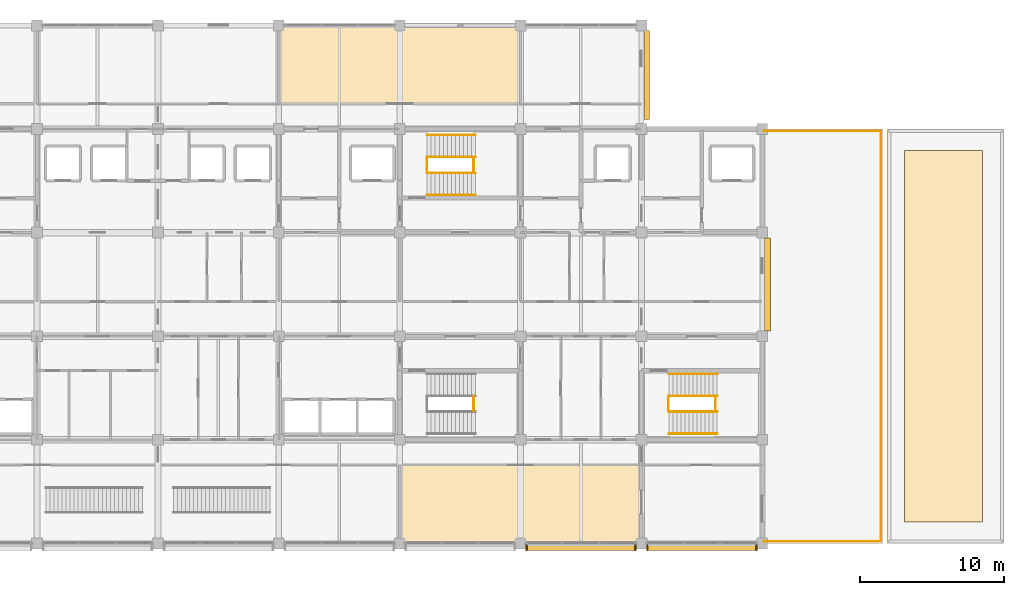
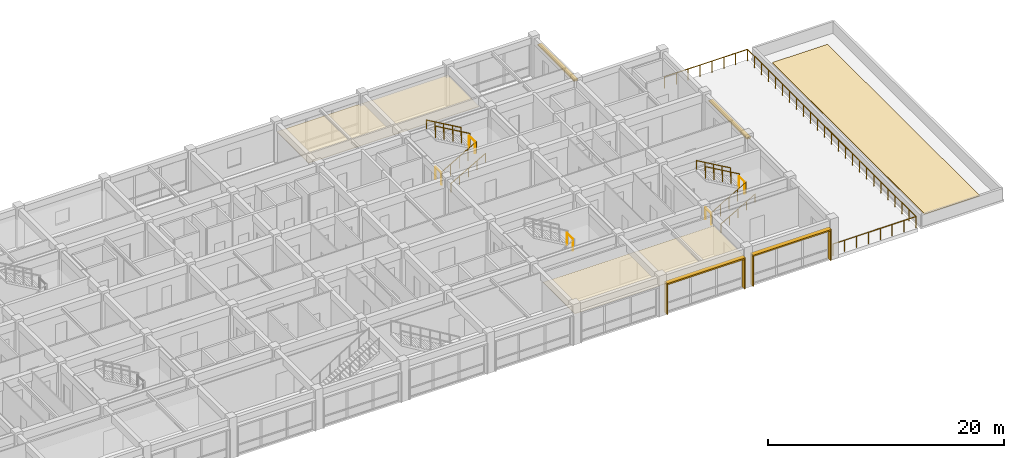
# One storey, part 27 of 27: 16 railings, 8 shading devices, 3 coverings.
"""IFC4 building model written with IfcOpenShell, lengths in metres."""

from ifc_helpers import new_model, si_unit, direction, frame, origin, origin_2d, place, context, subcontext, project, spatial, polyline, rectangle, circle, outline, extrude, material, layer, layer_set, type_object, element, save


model = new_model("IFC4")

# Units and contexts
model_context = context("Model", 3, precision=1e-05, world=origin(), true_north=direction((0.0, 1.0)))
body_context = subcontext(model_context, "Body", "Model", "MODEL_VIEW")
ifc_project = project(units=[si_unit("LENGTHUNIT", "METRE"), si_unit("AREAUNIT", "SQUARE_METRE"), si_unit("VOLUMEUNIT", "CUBIC_METRE"), si_unit("PLANEANGLEUNIT", "RADIAN"), si_unit("MASSUNIT", "GRAM", prefix="KILO")], contexts=[model_context])

# Site, building, storey
site_placement = place(None, origin())
site = spatial("IfcSite", under=ifc_project, at=site_placement, CompositionType="ELEMENT")
building_placement = place(site_placement, origin())
building = spatial("IfcBuilding", under=site, at=building_placement, Name="Chengyuan Square Courthouse", CompositionType="ELEMENT")
storey_placement = place(building_placement, frame((0.0, 0.0, 35.10009765625)))
storey = spatial("IfcBuildingStorey", under=building, at=storey_placement, Name="L08", CompositionType="ELEMENT", Elevation=35.10009765625)

# Coverings
ifc_material_1 = material(Name="Perforated Larch Glulam Acoustic Slat Ceiling", Category="wood")
ifc_layer_1 = layer(ifc_material_1, 0.044921875)
ifc_layer_set_1 = layer_set([ifc_layer_1], Name="Perforated Larch Glulam Acoustic Slat Ceiling")
covering_type_1 = type_object("IfcCoveringType", Name="CLG-01", PredefinedType="CEILING", material=ifc_layer_set_1)
covering_1_placement = place(storey_placement, frame((0.0, 0.0, 2.849853515625)))
element("IfcCovering", 1, at=covering_1_placement, inside=storey, type_object=covering_type_1, Name="Acoustic Timber Slat Ceiling CLG-L08-ACN-11", PredefinedType="CEILING", context=body_context, shape_type="SweptSolid", body=[
    extrude(outline(polyline([(92.449951171875, 109.800048828125), (109.14990234375, 109.800048828125), (109.14990234375, 115.14990234375), (92.449951171875, 115.14990234375), (92.449951171875, 109.800048828125)])), origin(), (0.0, 0.0, 1.0), 0.045166015625),
])
covering_2_placement = place(storey_placement, frame((0.0, 0.0, 2.849853515625)))
element("IfcCovering", 2, at=covering_2_placement, inside=storey, type_object=covering_type_1, Name="Acoustic Timber Slat Ceiling CLG-L08-CRT-A2", PredefinedType="CEILING", context=body_context, shape_type="SweptSolid", body=[
    extrude(outline(polyline([(100.85009765625, 79.25), (117.550048828125, 79.25), (117.550048828125, 84.60009765625), (100.85009765625, 84.60009765625), (100.85009765625, 79.25)])), origin(), (0.0, 0.0, 1.0), 0.045166015625),
])
ifc_material_2 = material(Name="TPO Waterproof Membrane and Extruded Polystyrene Insulation")
ifc_layer_2 = layer(ifc_material_2, 0.06005859375)
ifc_layer_set_2 = layer_set([ifc_layer_2], Name="TPO Waterproof Membrane and Extruded Polystyrene Insulation")
covering_type_2 = type_object("IfcCoveringType", Name="RFG-01", PredefinedType="ROOFING", material=ifc_layer_set_2)
covering_3_placement = place(storey_placement, origin())
element("IfcCovering", 3, at=covering_3_placement, inside=storey, type_object=covering_type_2, Name="Roof Waterproofing Membrane RFG-L08-06", PredefinedType="ROOFING", context=body_context, shape_type="SweptSolid", body=[
    extrude(outline(polyline([(135.89990234375, 80.699951171875), (141.300048828125, 80.699951171875), (141.300048828125, 106.5), (135.89990234375, 106.5), (135.89990234375, 80.699951171875)])), origin(), (0.0, 0.0, 1.0), 0.059814453125),
])

# Railings
ifc_material_3 = material(Name="Stainless Steel S30408 and Laminated Glass Balustrade", Category="steel")
railing_type_1 = type_object("IfcRailingType", Name="RL-01", PredefinedType="BALUSTRADE", material=ifc_material_3)
railing_1_placement = place(storey_placement, frame((126.139892578125, 107.860107421875, 0.0)))
element("IfcRailing", 4, at=railing_1_placement, inside=storey, type_object=railing_type_1, Name="Terrace Safety Balustrade RL-TER-016", PredefinedType="BALUSTRADE", context=body_context, shape_type="SweptSolid", body=[
    extrude(circle(Radius=0.02392578125, at=origin_2d()), frame((0.0, 0.0, 1.17578125), z_axis=(1.0, 0.0, 0.0), x_axis=(0.0, 1.0, 0.0)), (0.0, 0.0, 1.0), 8.1201171875),
    extrude(circle(Radius=0.02099609375, at=origin_2d()), origin(), (0.0, 0.0, 1.0), 1.15185546875),
    extrude(circle(Radius=0.02099609375, at=origin_2d()), frame((1.159912109375, 0.0, 0.0)), (0.0, 0.0, 1.0), 1.15185546875),
    extrude(circle(Radius=0.02099609375, at=origin_2d()), frame((2.320068359375, 0.0, 0.0)), (0.0, 0.0, 1.0), 1.15185546875),
    extrude(circle(Radius=0.02099609375, at=origin_2d()), frame((3.47998046875, 0.0, 0.0)), (0.0, 0.0, 1.0), 1.15185546875),
    extrude(circle(Radius=0.02099609375, at=origin_2d()), frame((4.64013671875, 0.0, 0.0)), (0.0, 0.0, 1.0), 1.15185546875),
    extrude(circle(Radius=0.02099609375, at=origin_2d()), frame((5.800048828125, 0.0, 0.0)), (0.0, 0.0, 1.0), 1.15185546875),
    extrude(circle(Radius=0.02099609375, at=origin_2d()), frame((6.960205078125, 0.0, 0.0)), (0.0, 0.0, 1.0), 1.15185546875),
    extrude(circle(Radius=0.02099609375, at=origin_2d()), frame((8.1201171875, 0.0, 0.0)), (0.0, 0.0, 1.0), 1.15185546875),
])
railing_2_placement = place(storey_placement, frame((134.260009765625, 107.860107421875, 0.0)))
element("IfcRailing", 5, at=railing_2_placement, inside=storey, type_object=railing_type_1, Name="Terrace Safety Balustrade RL-TER-017", PredefinedType="BALUSTRADE", context=body_context, shape_type="SweptSolid", body=[
    extrude(circle(Radius=0.02392578125, at=origin_2d()), frame((0.0, 0.0, 1.17578125), z_axis=(0.0, -1.0, 0.0), x_axis=(1.0, 0.0, 0.0)), (0.0, 0.0, 1.0), 28.52001953125),
    extrude(circle(Radius=0.02099609375, at=origin_2d()), origin(), (0.0, 0.0, 1.0), 1.15185546875),
    extrude(circle(Radius=0.02099609375, at=origin_2d()), frame((0.0, -1.188232421875, 0.0)), (0.0, 0.0, 1.0), 1.15185546875),
    extrude(circle(Radius=0.02099609375, at=origin_2d()), frame((0.0, -2.376708984375, 0.0)), (0.0, 0.0, 1.0), 1.15185546875),
    extrude(circle(Radius=0.02099609375, at=origin_2d()), frame((0.0, -3.56494140625, 0.0)), (0.0, 0.0, 1.0), 1.15185546875),
    extrude(circle(Radius=0.02099609375, at=origin_2d()), frame((0.0, -4.75341796875, 0.0)), (0.0, 0.0, 1.0), 1.15185546875),
    extrude(circle(Radius=0.02099609375, at=origin_2d()), frame((0.0, -5.941650390625, 0.0)), (0.0, 0.0, 1.0), 1.15185546875),
    extrude(circle(Radius=0.02099609375, at=origin_2d()), frame((0.0, -7.1298828125, 0.0)), (0.0, 0.0, 1.0), 1.15185546875),
    extrude(circle(Radius=0.02099609375, at=origin_2d()), frame((0.0, -8.318359375, 0.0)), (0.0, 0.0, 1.0), 1.15185546875),
    extrude(circle(Radius=0.02099609375, at=origin_2d()), frame((0.0, -9.506591796875, 0.0)), (0.0, 0.0, 1.0), 1.15185546875),
    extrude(circle(Radius=0.02099609375, at=origin_2d()), frame((0.0, -10.695068359375, 0.0)), (0.0, 0.0, 1.0), 1.15185546875),
    extrude(circle(Radius=0.02099609375, at=origin_2d()), frame((0.0, -11.88330078125, 0.0)), (0.0, 0.0, 1.0), 1.15185546875),
    extrude(circle(Radius=0.02099609375, at=origin_2d()), frame((0.0, -13.07177734375, 0.0)), (0.0, 0.0, 1.0), 1.15185546875),
    extrude(circle(Radius=0.02099609375, at=origin_2d()), frame((0.0, -14.260009765625, 0.0)), (0.0, 0.0, 1.0), 1.15185546875),
    extrude(circle(Radius=0.02099609375, at=origin_2d()), frame((0.0, -15.4482421875, 0.0)), (0.0, 0.0, 1.0), 1.15185546875),
    extrude(circle(Radius=0.02099609375, at=origin_2d()), frame((0.0, -16.63671875, 0.0)), (0.0, 0.0, 1.0), 1.15185546875),
    extrude(circle(Radius=0.02099609375, at=origin_2d()), frame((0.0, -17.824951171875, 0.0)), (0.0, 0.0, 1.0), 1.15185546875),
    extrude(circle(Radius=0.02099609375, at=origin_2d()), frame((0.0, -19.013427734375, 0.0)), (0.0, 0.0, 1.0), 1.15185546875),
    extrude(circle(Radius=0.02099609375, at=origin_2d()), frame((0.0, -20.20166015625, 0.0)), (0.0, 0.0, 1.0), 1.15185546875),
    extrude(circle(Radius=0.02099609375, at=origin_2d()), frame((0.0, -21.39013671875, 0.0)), (0.0, 0.0, 1.0), 1.15185546875),
    extrude(circle(Radius=0.02099609375, at=origin_2d()), frame((0.0, -22.578369140625, 0.0)), (0.0, 0.0, 1.0), 1.15185546875),
    extrude(circle(Radius=0.02099609375, at=origin_2d()), frame((0.0, -23.7666015625, 0.0)), (0.0, 0.0, 1.0), 1.15185546875),
    extrude(circle(Radius=0.02099609375, at=origin_2d()), frame((0.0, -24.955078125, 0.0)), (0.0, 0.0, 1.0), 1.15185546875),
    extrude(circle(Radius=0.02099609375, at=origin_2d()), frame((0.0, -26.143310546875, 0.0)), (0.0, 0.0, 1.0), 1.15185546875),
    extrude(circle(Radius=0.02099609375, at=origin_2d()), frame((0.0, -27.331787109375, 0.0)), (0.0, 0.0, 1.0), 1.15185546875),
    extrude(circle(Radius=0.02099609375, at=origin_2d()), frame((0.0, -28.52001953125, 0.0)), (0.0, 0.0, 1.0), 1.15185546875),
])
railing_3_placement = place(storey_placement, frame((134.260009765625, 79.340087890625, 0.0)))
element("IfcRailing", 6, at=railing_3_placement, inside=storey, type_object=railing_type_1, Name="Terrace Safety Balustrade RL-TER-018", PredefinedType="BALUSTRADE", context=body_context, shape_type="SweptSolid", body=[
    extrude(circle(Radius=0.02392578125, at=origin_2d()), frame((0.0, 0.0, 1.17578125), z_axis=(-1.0, 0.0, 0.0), x_axis=(0.0, -1.0, 0.0)), (0.0, 0.0, 1.0), 8.1201171875),
    extrude(circle(Radius=0.02099609375, at=origin_2d()), origin(), (0.0, 0.0, 1.0), 1.15185546875),
    extrude(circle(Radius=0.02099609375, at=origin_2d()), frame((-1.159912109375, 0.0, 0.0)), (0.0, 0.0, 1.0), 1.15185546875),
    extrude(circle(Radius=0.02099609375, at=origin_2d()), frame((-2.320068359375, 0.0, 0.0)), (0.0, 0.0, 1.0), 1.15185546875),
    extrude(circle(Radius=0.02099609375, at=origin_2d()), frame((-3.47998046875, 0.0, 0.0)), (0.0, 0.0, 1.0), 1.15185546875),
    extrude(circle(Radius=0.02099609375, at=origin_2d()), frame((-4.64013671875, 0.0, 0.0)), (0.0, 0.0, 1.0), 1.15185546875),
    extrude(circle(Radius=0.02099609375, at=origin_2d()), frame((-5.800048828125, 0.0, 0.0)), (0.0, 0.0, 1.0), 1.15185546875),
    extrude(circle(Radius=0.02099609375, at=origin_2d()), frame((-6.960205078125, 0.0, 0.0)), (0.0, 0.0, 1.0), 1.15185546875),
    extrude(circle(Radius=0.02099609375, at=origin_2d()), frame((-8.1201171875, 0.0, 0.0)), (0.0, 0.0, 1.0), 1.15185546875),
])
ifc_material_4 = material(Name="Tempered Glass and Timber Top-Rail Balustrade", Category="wood")
railing_type_2 = type_object("IfcRailingType", Name="RL-02", PredefinedType="BALUSTRADE", material=ifc_material_4)
for number, where, name in (
    (7, (102.68994140625, 105.0, 0.0), "Stair Floor Slot Guard ST-2 L08"),
    (8, (105.949951171875, 105.0, 2.099853515625), "Stair Landing Guard ST-2-L08"),
):
    element("IfcRailing", number, at=place(storey_placement, frame(where)), inside=storey, type_object=railing_type_2, Name=name, PredefinedType="BALUSTRADE", context=body_context, shape_type="SweptSolid", body=[
        extrude(circle(Radius=0.02392578125, at=origin_2d()), frame((0.0, 0.0, 1.17578125), z_axis=(0.0, 1.0, 0.0), x_axis=(-1.0, 0.0, 0.0)), (0.0, 0.0, 1.0), 1.0),
        extrude(circle(Radius=0.02099609375, at=origin_2d()), origin(), (0.0, 0.0, 1.0), 1.15185546875),
        extrude(circle(Radius=0.02099609375, at=origin_2d()), frame((0.0, 1.0, 0.0)), (0.0, 0.0, 1.0), 1.15185546875),
    ])
railing_4_placement = place(storey_placement, frame((102.7099609375, 104.949951171875, 0.161376953125)))
element("IfcRailing", 9, at=railing_4_placement, inside=storey, type_object=railing_type_2, Name="Stair Flight 1 Guard ST-2-L08", PredefinedType="BALUSTRADE", context=body_context, shape_type="SweptSolid", body=[
    extrude(circle(Radius=0.02392578125, at=origin_2d()), frame((0.0, 0.0, 1.17578125), z_axis=(0.866190824863, 0.0, 0.499713372768), x_axis=(0.0, 1.0, 0.0)), (0.0, 0.0, 1.0), 3.879150390625),
    extrude(circle(Radius=0.02099609375, at=origin_2d()), origin(), (0.0, 0.0, 1.0), 1.15185546875),
    extrude(circle(Radius=0.02099609375, at=origin_2d()), frame((0.840087890625, 0.0, 0.484619140625)), (0.0, 0.0, 1.0), 1.15185546875),
    extrude(circle(Radius=0.02099609375, at=origin_2d()), frame((1.68017578125, 0.0, 0.96923828125)), (0.0, 0.0, 1.0), 1.15185546875),
    extrude(circle(Radius=0.02099609375, at=origin_2d()), frame((2.52001953125, 0.0, 1.453857421875)), (0.0, 0.0, 1.0), 1.15185546875),
    extrude(circle(Radius=0.02099609375, at=origin_2d()), frame((3.360107421875, 0.0, 1.9384765625)), (0.0, 0.0, 1.0), 1.15185546875),
])
railing_5_placement = place(storey_placement, frame((106.070068359375, 106.050048828125, 2.261474609375)))
element("IfcRailing", 10, at=railing_5_placement, inside=storey, type_object=railing_type_2, Name="Stair Flight 2 Guard ST-2-L08", PredefinedType="BALUSTRADE", context=body_context, shape_type="SweptSolid", body=[
    extrude(circle(Radius=0.02392578125, at=origin_2d()), frame((0.0, 0.0, 1.17578125), z_axis=(-0.866190824863, 0.0, 0.499713372768), x_axis=(0.0, -1.0, 0.0)), (0.0, 0.0, 1.0), 3.879150390625),
    extrude(circle(Radius=0.02099609375, at=origin_2d()), origin(), (0.0, 0.0, 1.0), 1.15185546875),
    extrude(circle(Radius=0.02099609375, at=origin_2d()), frame((-0.840087890625, 0.0, 0.484619140625)), (0.0, 0.0, 1.0), 1.15185546875),
    extrude(circle(Radius=0.02099609375, at=origin_2d()), frame((-1.68017578125, 0.0, 0.96923828125)), (0.0, 0.0, 1.0), 1.15185546875),
    extrude(circle(Radius=0.02099609375, at=origin_2d()), frame((-2.52001953125, 0.0, 1.453857421875)), (0.0, 0.0, 1.0), 1.15185546875),
    extrude(circle(Radius=0.02099609375, at=origin_2d()), frame((-3.360107421875, 0.0, 1.9384765625)), (0.0, 0.0, 1.0), 1.15185546875),
])
for number, where, name in (
    (11, (105.949951171875, 88.39990234375, 2.099853515625), "Stair Landing Guard ST-4-L08"),
    (12, (119.489990234375, 88.39990234375, 0.0), "Stair Floor Slot Guard ST-6 L08"),
    (13, (122.75, 88.39990234375, 2.099853515625), "Stair Landing Guard ST-6-L08"),
):
    element("IfcRailing", number, at=place(storey_placement, frame(where)), inside=storey, type_object=railing_type_2, Name=name, PredefinedType="BALUSTRADE", context=body_context, shape_type="SweptSolid", body=[
        extrude(circle(Radius=0.02392578125, at=origin_2d()), frame((0.0, 0.0, 1.17578125), z_axis=(0.0, 1.0, 0.0), x_axis=(-1.0, 0.0, 0.0)), (0.0, 0.0, 1.0), 1.0),
        extrude(circle(Radius=0.02099609375, at=origin_2d()), origin(), (0.0, 0.0, 1.0), 1.15185546875),
        extrude(circle(Radius=0.02099609375, at=origin_2d()), frame((0.0, 1.0, 0.0)), (0.0, 0.0, 1.0), 1.15185546875),
    ])
railing_6_placement = place(storey_placement, frame((119.510009765625, 88.35009765625, 0.161376953125)))
element("IfcRailing", 14, at=railing_6_placement, inside=storey, type_object=railing_type_2, Name="Stair Flight 1 Guard ST-6-L08", PredefinedType="BALUSTRADE", context=body_context, shape_type="SweptSolid", body=[
    extrude(circle(Radius=0.02392578125, at=origin_2d()), frame((0.0, 0.0, 1.17578125), z_axis=(0.866190824863, 0.0, 0.499713372768), x_axis=(0.0, 1.0, 0.0)), (0.0, 0.0, 1.0), 3.879150390625),
    extrude(circle(Radius=0.02099609375, at=origin_2d()), origin(), (0.0, 0.0, 1.0), 1.15185546875),
    extrude(circle(Radius=0.02099609375, at=origin_2d()), frame((0.840087890625, 0.0, 0.484619140625)), (0.0, 0.0, 1.0), 1.15185546875),
    extrude(circle(Radius=0.02099609375, at=origin_2d()), frame((1.68017578125, 0.0, 0.96923828125)), (0.0, 0.0, 1.0), 1.15185546875),
    extrude(circle(Radius=0.02099609375, at=origin_2d()), frame((2.52001953125, 0.0, 1.453857421875)), (0.0, 0.0, 1.0), 1.15185546875),
    extrude(circle(Radius=0.02099609375, at=origin_2d()), frame((3.360107421875, 0.0, 1.9384765625)), (0.0, 0.0, 1.0), 1.15185546875),
])
railing_7_placement = place(storey_placement, frame((122.8701171875, 89.449951171875, 2.261474609375)))
element("IfcRailing", 15, at=railing_7_placement, inside=storey, type_object=railing_type_2, Name="Stair Flight 2 Guard ST-6-L08", PredefinedType="BALUSTRADE", context=body_context, shape_type="SweptSolid", body=[
    extrude(circle(Radius=0.02392578125, at=origin_2d()), frame((0.0, 0.0, 1.17578125), z_axis=(-0.866190824863, 0.0, 0.499713372768), x_axis=(0.0, -1.0, 0.0)), (0.0, 0.0, 1.0), 3.879150390625),
    extrude(circle(Radius=0.02099609375, at=origin_2d()), origin(), (0.0, 0.0, 1.0), 1.15185546875),
    extrude(circle(Radius=0.02099609375, at=origin_2d()), frame((-0.840087890625, 0.0, 0.484619140625)), (0.0, 0.0, 1.0), 1.15185546875),
    extrude(circle(Radius=0.02099609375, at=origin_2d()), frame((-1.68017578125, 0.0, 0.96923828125)), (0.0, 0.0, 1.0), 1.15185546875),
    extrude(circle(Radius=0.02099609375, at=origin_2d()), frame((-2.52001953125, 0.0, 1.453857421875)), (0.0, 0.0, 1.0), 1.15185546875),
    extrude(circle(Radius=0.02099609375, at=origin_2d()), frame((-3.360107421875, 0.0, 1.9384765625)), (0.0, 0.0, 1.0), 1.15185546875),
])
ifc_material_5 = material(Name="Stainless Steel S30408 Stair Handrail", Category="steel")
railing_type_3 = type_object("IfcRailingType", Name="RL-04", PredefinedType="HANDRAIL", material=ifc_material_5)
railing_8_placement = place(storey_placement, frame((102.7099609375, 103.419921875, 0.161376953125)))
element("IfcRailing", 16, at=railing_8_placement, inside=storey, type_object=railing_type_3, Name="Stair Flight 1 Handrail ST-2-L08", PredefinedType="HANDRAIL", context=body_context, shape_type="SweptSolid", body=[
    extrude(circle(Radius=0.02392578125, at=origin_2d()), frame((0.0, 0.0, 0.8759765625), z_axis=(0.866190824863, 0.0, 0.499713372768), x_axis=(0.0, 1.0, 0.0)), (0.0, 0.0, 1.0), 3.879150390625),
    extrude(circle(Radius=0.02099609375, at=origin_2d()), origin(), (0.0, 0.0, 1.0), 0.851806640625),
    extrude(circle(Radius=0.02099609375, at=origin_2d()), frame((0.840087890625, 0.0, 0.484619140625)), (0.0, 0.0, 1.0), 0.851806640625),
    extrude(circle(Radius=0.02099609375, at=origin_2d()), frame((1.68017578125, 0.0, 0.96923828125)), (0.0, 0.0, 1.0), 0.851806640625),
    extrude(circle(Radius=0.02099609375, at=origin_2d()), frame((2.52001953125, 0.0, 1.453857421875)), (0.0, 0.0, 1.0), 0.851806640625),
    extrude(circle(Radius=0.02099609375, at=origin_2d()), frame((3.360107421875, 0.0, 1.9384765625)), (0.0, 0.0, 1.0), 0.851806640625),
])
railing_9_placement = place(storey_placement, frame((106.070068359375, 107.580078125, 2.261474609375)))
element("IfcRailing", 17, at=railing_9_placement, inside=storey, type_object=railing_type_3, Name="Stair Flight 2 Handrail ST-2-L08", PredefinedType="HANDRAIL", context=body_context, shape_type="SweptSolid", body=[
    extrude(circle(Radius=0.02392578125, at=origin_2d()), frame((0.0, 0.0, 0.8759765625), z_axis=(-0.866190824863, 0.0, 0.499713372768), x_axis=(0.0, -1.0, 0.0)), (0.0, 0.0, 1.0), 3.879150390625),
    extrude(circle(Radius=0.02099609375, at=origin_2d()), origin(), (0.0, 0.0, 1.0), 0.851806640625),
    extrude(circle(Radius=0.02099609375, at=origin_2d()), frame((-0.840087890625, 0.0, 0.484619140625)), (0.0, 0.0, 1.0), 0.851806640625),
    extrude(circle(Radius=0.02099609375, at=origin_2d()), frame((-1.68017578125, 0.0, 0.96923828125)), (0.0, 0.0, 1.0), 0.851806640625),
    extrude(circle(Radius=0.02099609375, at=origin_2d()), frame((-2.52001953125, 0.0, 1.453857421875)), (0.0, 0.0, 1.0), 0.851806640625),
    extrude(circle(Radius=0.02099609375, at=origin_2d()), frame((-3.360107421875, 0.0, 1.9384765625)), (0.0, 0.0, 1.0), 0.851806640625),
])
railing_10_placement = place(storey_placement, frame((119.510009765625, 86.820068359375, 0.161376953125)))
element("IfcRailing", 18, at=railing_10_placement, inside=storey, type_object=railing_type_3, Name="Stair Flight 1 Handrail ST-6-L08", PredefinedType="HANDRAIL", context=body_context, shape_type="SweptSolid", body=[
    extrude(circle(Radius=0.02392578125, at=origin_2d()), frame((0.0, 0.0, 0.8759765625), z_axis=(0.866190824863, 0.0, 0.499713372768), x_axis=(0.0, 1.0, 0.0)), (0.0, 0.0, 1.0), 3.879150390625),
    extrude(circle(Radius=0.02099609375, at=origin_2d()), origin(), (0.0, 0.0, 1.0), 0.851806640625),
    extrude(circle(Radius=0.02099609375, at=origin_2d()), frame((0.840087890625, 0.0, 0.484619140625)), (0.0, 0.0, 1.0), 0.851806640625),
    extrude(circle(Radius=0.02099609375, at=origin_2d()), frame((1.68017578125, 0.0, 0.96923828125)), (0.0, 0.0, 1.0), 0.851806640625),
    extrude(circle(Radius=0.02099609375, at=origin_2d()), frame((2.52001953125, 0.0, 1.453857421875)), (0.0, 0.0, 1.0), 0.851806640625),
    extrude(circle(Radius=0.02099609375, at=origin_2d()), frame((3.360107421875, 0.0, 1.9384765625)), (0.0, 0.0, 1.0), 0.851806640625),
])
railing_11_placement = place(storey_placement, frame((122.8701171875, 90.97998046875, 2.261474609375)))
element("IfcRailing", 19, at=railing_11_placement, inside=storey, type_object=railing_type_3, Name="Stair Flight 2 Handrail ST-6-L08", PredefinedType="HANDRAIL", context=body_context, shape_type="SweptSolid", body=[
    extrude(circle(Radius=0.02392578125, at=origin_2d()), frame((0.0, 0.0, 0.8759765625), z_axis=(-0.866190824863, 0.0, 0.499713372768), x_axis=(0.0, -1.0, 0.0)), (0.0, 0.0, 1.0), 3.879150390625),
    extrude(circle(Radius=0.02099609375, at=origin_2d()), origin(), (0.0, 0.0, 1.0), 0.851806640625),
    extrude(circle(Radius=0.02099609375, at=origin_2d()), frame((-0.840087890625, 0.0, 0.484619140625)), (0.0, 0.0, 1.0), 0.851806640625),
    extrude(circle(Radius=0.02099609375, at=origin_2d()), frame((-1.68017578125, 0.0, 0.96923828125)), (0.0, 0.0, 1.0), 0.851806640625),
    extrude(circle(Radius=0.02099609375, at=origin_2d()), frame((-2.52001953125, 0.0, 1.453857421875)), (0.0, 0.0, 1.0), 0.851806640625),
    extrude(circle(Radius=0.02099609375, at=origin_2d()), frame((-3.360107421875, 0.0, 1.9384765625)), (0.0, 0.0, 1.0), 0.851806640625),
])

# Shading devices
ifc_material_6 = material(Name="Glulam TCt28 Solar Shading Fin", Category="wood")
shading_device_type_1 = type_object("IfcShadingDeviceType", Name="SHD-01", PredefinedType="JALOUSIE", material=ifc_material_6)
for number, where, z_axis, x_axis, name in (
    (20, (109.607421875, 78.907958984375, 0.0400390625), (0.0, 0.0, 1.0), (0.0, 1.0, 0.0), "Glulam Solar Fin SHD-L08-0711"),
    (21, (117.1923828125, 78.907958984375, 0.0400390625), (0.0, 0.0, 1.0), (0.0, 1.0, 0.0), "Glulam Solar Fin SHD-L08-0712"),
    (22, (118.007568359375, 78.907958984375, 0.0400390625), (0.0, 0.0, 1.0), (0.0, 1.0, 0.0), "Glulam Solar Fin SHD-L08-0715"),
    (23, (125.592529296875, 78.907958984375, 0.0400390625), (0.0, 0.0, 1.0), (0.0, 1.0, 0.0), "Glulam Solar Fin SHD-L08-0716"),
):
    element("IfcShadingDevice", number, at=place(storey_placement, frame(where, z_axis=z_axis, x_axis=x_axis)), inside=storey, type_object=shading_device_type_1, Name=name, PredefinedType="JALOUSIE", context=body_context, shape_type="SweptSolid", body=[
        extrude(rectangle(XDim=0.419921875, YDim=0.094970703125, at=origin_2d()), origin(), (0.0, 0.0, 1.0), 3.090087890625),
    ])
ifc_material_7 = material(Name="Glulam TCt28 Sunshade Louvre", Category="wood")
shading_device_type_2 = type_object("IfcShadingDeviceType", Name="SHD-02", PredefinedType="AWNING", material=ifc_material_7)
for number, where, z_axis, x_axis, name in (
    (24, (113.39990234375, 78.907958984375, 3.1298828125), (0.0, 0.0, 1.0), (1.0, 0.0, 0.0), "Glulam Sunshade Louvre SHD-L08-0713"),
    (25, (121.800048828125, 78.907958984375, 3.1298828125), (0.0, 0.0, 1.0), (1.0, 0.0, 0.0), "Glulam Sunshade Louvre SHD-L08-0717"),
):
    element("IfcShadingDevice", number, at=place(storey_placement, frame(where, z_axis=z_axis, x_axis=x_axis)), inside=storey, type_object=shading_device_type_2, Name=name, PredefinedType="AWNING", context=body_context, shape_type="SweptSolid", body=[
        extrude(rectangle(XDim=7.64990234375, YDim=0.43994140625, at=origin_2d()), origin(), (0.0, 0.0, 1.0), 0.139892578125),
    ])
ifc_material_8 = material(Name="Glulam TCt28 Facade Sunshade", Category="wood")
shading_device_type_3 = type_object("IfcShadingDeviceType", Name="SHD-03", PredefinedType="AWNING", material=ifc_material_8)
shading_device_1_placement = place(storey_placement, frame((117.967041015625, 111.75, 3.10986328125), z_axis=(0.0, 0.0, 1.0), x_axis=(0.0, 1.0, 0.0)))
element("IfcShadingDevice", 26, at=shading_device_1_placement, inside=storey, type_object=shading_device_type_3, Name="Glulam Facade Sunshade SHD-L08-0714", PredefinedType="AWNING", context=body_context, shape_type="SweptSolid", body=[
    extrude(rectangle(XDim=6.159912109375, YDim=0.39990234375, at=origin_2d()), origin(), (0.0, 0.0, 1.0), 0.139892578125),
])
shading_device_2_placement = place(storey_placement, frame((126.366943359375, 97.199951171875, 3.10986328125), z_axis=(0.0, 0.0, 1.0), x_axis=(0.0, 1.0, 0.0)))
element("IfcShadingDevice", 27, at=shading_device_2_placement, inside=storey, type_object=shading_device_type_3, Name="Glulam Facade Sunshade SHD-L08-0718", PredefinedType="AWNING", context=body_context, shape_type="SweptSolid", body=[
    extrude(rectangle(XDim=6.4599609375, YDim=0.39990234375, at=origin_2d()), origin(), (0.0, 0.0, 1.0), 0.139892578125),
])

save(model, "model.ifc")
